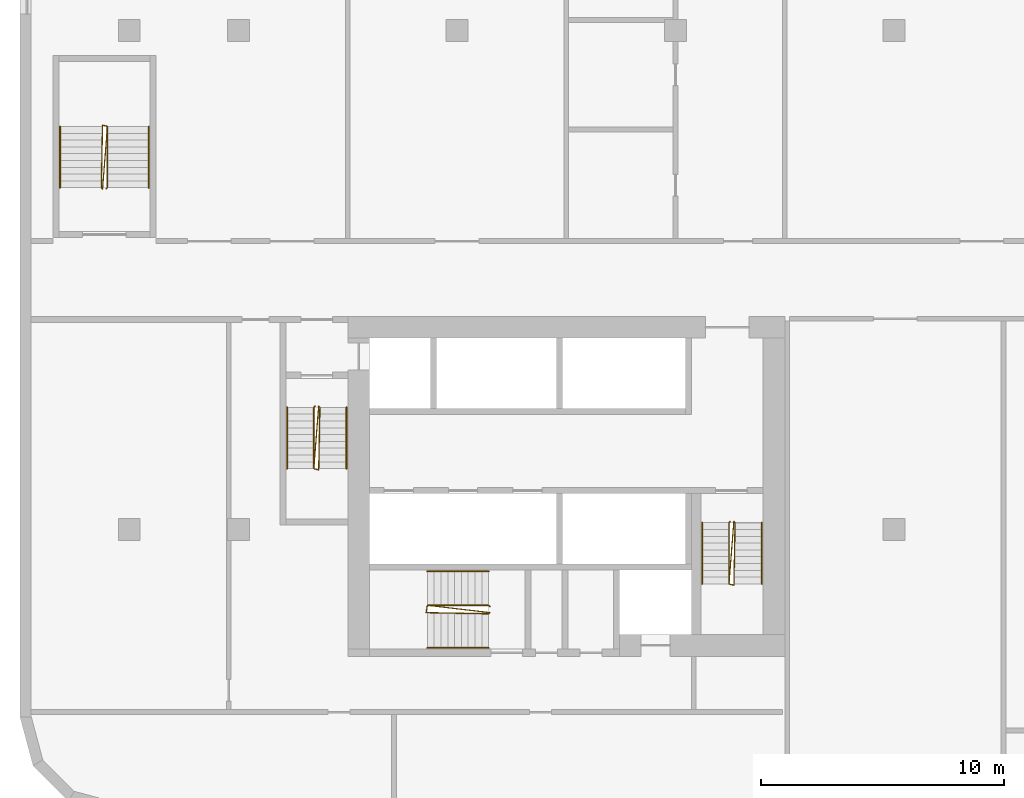
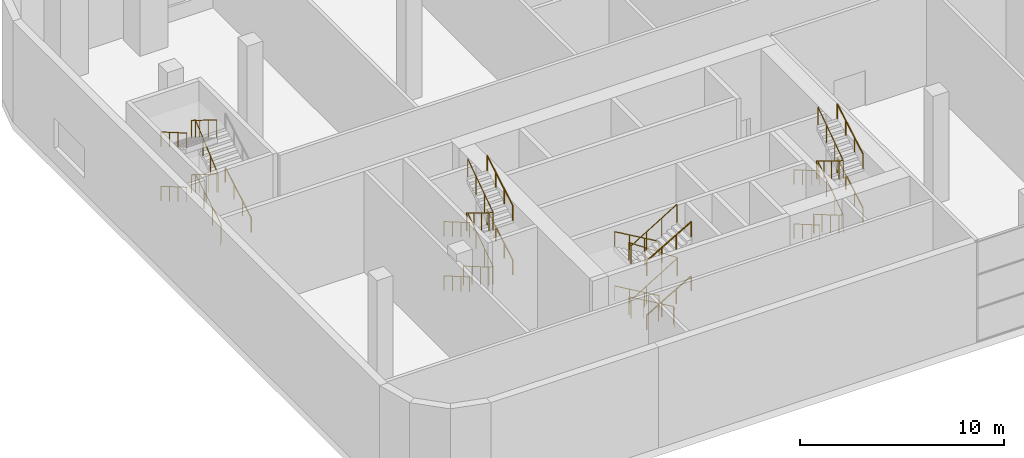
# One storey, part 22 of 24: 19 railings.
"""IFC4 building model written with IfcOpenShell, lengths in metres."""

from ifc_helpers import new_model, si_unit, direction, frame, origin, origin_2d, place, context, subcontext, project, spatial, circle, extrude, material, type_object, element, save


model = new_model("IFC4")

# Units and contexts
model_context = context("Model", 3, precision=1e-05, world=origin(), true_north=direction((0.0, 1.0)))
body_context = subcontext(model_context, "Body", "Model", "MODEL_VIEW")
ifc_project = project(units=[si_unit("LENGTHUNIT", "METRE"), si_unit("AREAUNIT", "SQUARE_METRE"), si_unit("VOLUMEUNIT", "CUBIC_METRE"), si_unit("PLANEANGLEUNIT", "RADIAN"), si_unit("MASSUNIT", "GRAM", prefix="KILO")], contexts=[model_context])

# Site, building, storey
site_placement = place(None, origin())
site = spatial("IfcSite", under=ifc_project, at=site_placement, CompositionType="ELEMENT")
building_placement = place(site_placement, origin())
building = spatial("IfcBuilding", under=site, at=building_placement, Name="Kajstack Hotel Tower", CompositionType="ELEMENT")
storey_placement = place(building_placement, frame((0.0, 0.0, 17.0)))
storey = spatial("IfcBuildingStorey", under=building, at=storey_placement, Name="L02", CompositionType="ELEMENT", Elevation=17.0)

# Railings
ifc_material = material(Name="Steel S355J2", Category="steel")
railing_type_1 = type_object("IfcRailingType", Name="Stair guard 1100", PredefinedType="GUARDRAIL", material=ifc_material)
railing_1_placement = place(storey_placement, frame((-32.85009765625, -5.199951171875, 0.0)))
element("IfcRailing", 1, at=railing_1_placement, inside=storey, type_object=railing_type_1, Name="L02 W1 stair guard 1", PredefinedType="GUARDRAIL", context=body_context, shape_type="SweptSolid", body=[
    extrude(circle(Radius=0.02392578125, at=origin_2d()), frame((0.0, 0.0, 1.076171875), z_axis=(-0.280959487676, -0.282336740067, 0.917250092119), x_axis=(0.708833529934, -0.705375805398, 0.0)), (0.0, 0.0, 1.0), 0.17724609375),
    extrude(circle(Radius=0.02392578125, at=origin_2d()), frame((-0.0498046875, -0.050048828125, 1.23876953125), z_axis=(0.0, -0.864913338283, 0.50192122615), x_axis=(1.0, 0.0, 0.0)), (0.0, 0.0, 1.0), 2.91357421875),
    extrude(circle(Radius=0.02392578125, at=origin_2d()), frame((-0.0498046875, -2.570068359375, 2.701171875), z_axis=(0.970072785993, -0.242814311512, 0.0), x_axis=(0.242814311512, 0.970072785993, 0.0)), (0.0, 0.0, 1.0), 0.2060546875),
    extrude(circle(Radius=0.02392578125, at=origin_2d()), frame((0.150146484375, -2.6201171875, 2.701171875), z_axis=(0.016457393398, 0.845107220968, 0.534343465638), x_axis=(-0.999810440751, 0.019470042781, 0.0)), (0.0, 0.0, 1.0), 3.041015625),
    extrude(circle(Radius=0.02392578125, at=origin_2d()), frame((0.2001953125, -0.050048828125, 4.326171875), z_axis=(-0.707106781187, 0.707106781187, 0.0), x_axis=(-0.707106781187, -0.707106781187, 0.0)), (0.0, 0.0, 1.0), 0.07080078125),
    extrude(circle(Radius=0.02392578125, at=origin_2d()), frame((0.150146484375, 0.0, 4.326171875), z_axis=(-0.065616484966, -0.843400167566, 0.533264131787), x_axis=(0.996987254287, -0.077565551559, 0.0)), (0.0, 0.0, 1.0), 3.04736328125),
    extrude(circle(Radius=0.02392578125, at=origin_2d()), frame((-0.0498046875, -2.570068359375, 5.951171875), z_axis=(0.970072785993, -0.242814311512, 0.0), x_axis=(0.242814311512, 0.970072785993, 0.0)), (0.0, 0.0, 1.0), 0.2060546875),
    extrude(circle(Radius=0.02392578125, at=origin_2d()), frame((0.150146484375, -2.6201171875, 5.951171875), z_axis=(0.016457393398, 0.845107220968, 0.534343465638), x_axis=(-0.999810440751, 0.019470042781, 0.0)), (0.0, 0.0, 1.0), 3.041015625),
    extrude(circle(Radius=0.02099609375, at=origin_2d()), origin(), (0.0, 0.0, 1.0), 1.052001953125),
    extrude(circle(Radius=0.02099609375, at=origin_2d()), frame((-0.0498046875, -0.050048828125, 0.16259765625)), (0.0, 0.0, 1.0), 1.052001953125),
    extrude(circle(Radius=0.02099609375, at=origin_2d()), frame((-0.0498046875, -0.89013671875, 0.650146484375)), (0.0, 0.0, 1.0), 1.052001953125),
    extrude(circle(Radius=0.02099609375, at=origin_2d()), frame((-0.0498046875, -1.72998046875, 1.137451171875)), (0.0, 0.0, 1.0), 1.052001953125),
    extrude(circle(Radius=0.02099609375, at=origin_2d()), frame((-0.0498046875, -2.570068359375, 1.625)), (0.0, 0.0, 1.0), 1.052001953125),
    extrude(circle(Radius=0.02099609375, at=origin_2d()), frame((0.150146484375, -2.6201171875, 1.625)), (0.0, 0.0, 1.0), 1.052001953125),
    extrude(circle(Radius=0.02099609375, at=origin_2d()), frame((0.166748046875, -1.763427734375, 2.166748046875)), (0.0, 0.0, 1.0), 1.052001953125),
    extrude(circle(Radius=0.02099609375, at=origin_2d()), frame((0.18359375, -0.90673828125, 2.708251953125)), (0.0, 0.0, 1.0), 1.052001953125),
    extrude(circle(Radius=0.02099609375, at=origin_2d()), frame((0.2001953125, -0.050048828125, 3.25)), (0.0, 0.0, 1.0), 1.052001953125),
    extrude(circle(Radius=0.02099609375, at=origin_2d()), frame((0.150146484375, 0.0, 3.25)), (0.0, 0.0, 1.0), 1.052001953125),
    extrude(circle(Radius=0.02099609375, at=origin_2d()), frame((0.08349609375, -0.856689453125, 3.791748046875)), (0.0, 0.0, 1.0), 1.052001953125),
    extrude(circle(Radius=0.02099609375, at=origin_2d()), frame((0.016845703125, -1.71337890625, 4.333251953125)), (0.0, 0.0, 1.0), 1.052001953125),
    extrude(circle(Radius=0.02099609375, at=origin_2d()), frame((-0.0498046875, -2.570068359375, 4.875)), (0.0, 0.0, 1.0), 1.052001953125),
    extrude(circle(Radius=0.02099609375, at=origin_2d()), frame((0.150146484375, -2.6201171875, 4.875)), (0.0, 0.0, 1.0), 1.052001953125),
    extrude(circle(Radius=0.02099609375, at=origin_2d()), frame((0.166748046875, -1.763427734375, 5.416748046875)), (0.0, 0.0, 1.0), 1.052001953125),
    extrude(circle(Radius=0.02099609375, at=origin_2d()), frame((0.18359375, -0.90673828125, 5.958251953125)), (0.0, 0.0, 1.0), 1.052001953125),
    extrude(circle(Radius=0.02099609375, at=origin_2d()), frame((0.2001953125, -0.050048828125, 6.5)), (0.0, 0.0, 1.0), 1.052001953125),
])
railing_2_placement = place(storey_placement, frame((-15.75, -9.949951171875, 0.0)))
element("IfcRailing", 2, at=railing_2_placement, inside=storey, type_object=railing_type_1, Name="L02 W2 stair guard 1", PredefinedType="GUARDRAIL", context=body_context, shape_type="SweptSolid", body=[
    extrude(circle(Radius=0.02392578125, at=origin_2d()), frame((0.0, 0.0, 1.076171875), z_axis=(-0.282227285176, -0.282227285176, 0.916894497205), x_axis=(0.707106781187, -0.707106781187, 0.0)), (0.0, 0.0, 1.0), 0.17724609375),
    extrude(circle(Radius=0.02392578125, at=origin_2d()), frame((-0.050048828125, -0.050048828125, 1.23876953125), z_axis=(0.0, -0.864913338283, 0.50192122615), x_axis=(1.0, 0.0, 0.0)), (0.0, 0.0, 1.0), 2.91357421875),
    extrude(circle(Radius=0.02392578125, at=origin_2d()), frame((-0.050048828125, -2.570068359375, 2.701171875), z_axis=(0.970072785993, -0.242814311512, 0.0), x_axis=(0.242814311512, 0.970072785993, 0.0)), (0.0, 0.0, 1.0), 0.2060546875),
    extrude(circle(Radius=0.02392578125, at=origin_2d()), frame((0.14990234375, -2.6201171875, 2.701171875), z_axis=(0.016457393398, 0.845107220968, 0.534343465638), x_axis=(-0.999810440751, 0.019470042781, 0.0)), (0.0, 0.0, 1.0), 3.041015625),
    extrude(circle(Radius=0.02392578125, at=origin_2d()), frame((0.199951171875, -0.050048828125, 4.326171875), z_axis=(-0.707106781187, 0.707106781187, 0.0), x_axis=(-0.707106781187, -0.707106781187, 0.0)), (0.0, 0.0, 1.0), 0.07080078125),
    extrude(circle(Radius=0.02392578125, at=origin_2d()), frame((0.14990234375, 0.0, 4.326171875), z_axis=(-0.065616484966, -0.843400167566, 0.533264131787), x_axis=(0.996987254287, -0.077565551559, 0.0)), (0.0, 0.0, 1.0), 3.04736328125),
    extrude(circle(Radius=0.02392578125, at=origin_2d()), frame((-0.050048828125, -2.570068359375, 5.951171875), z_axis=(0.970072785993, -0.242814311512, 0.0), x_axis=(0.242814311512, 0.970072785993, 0.0)), (0.0, 0.0, 1.0), 0.2060546875),
    extrude(circle(Radius=0.02392578125, at=origin_2d()), frame((0.14990234375, -2.6201171875, 5.951171875), z_axis=(0.016457393398, 0.845107220968, 0.534343465638), x_axis=(-0.999810440751, 0.019470042781, 0.0)), (0.0, 0.0, 1.0), 3.041015625),
    extrude(circle(Radius=0.02099609375, at=origin_2d()), origin(), (0.0, 0.0, 1.0), 1.052001953125),
    extrude(circle(Radius=0.02099609375, at=origin_2d()), frame((-0.050048828125, -0.050048828125, 0.16259765625)), (0.0, 0.0, 1.0), 1.052001953125),
    extrude(circle(Radius=0.02099609375, at=origin_2d()), frame((-0.050048828125, -0.89013671875, 0.650146484375)), (0.0, 0.0, 1.0), 1.052001953125),
    extrude(circle(Radius=0.02099609375, at=origin_2d()), frame((-0.050048828125, -1.72998046875, 1.137451171875)), (0.0, 0.0, 1.0), 1.052001953125),
    extrude(circle(Radius=0.02099609375, at=origin_2d()), frame((-0.050048828125, -2.570068359375, 1.625)), (0.0, 0.0, 1.0), 1.052001953125),
    extrude(circle(Radius=0.02099609375, at=origin_2d()), frame((0.14990234375, -2.6201171875, 1.625)), (0.0, 0.0, 1.0), 1.052001953125),
    extrude(circle(Radius=0.02099609375, at=origin_2d()), frame((0.16650390625, -1.763427734375, 2.166748046875)), (0.0, 0.0, 1.0), 1.052001953125),
    extrude(circle(Radius=0.02099609375, at=origin_2d()), frame((0.183349609375, -0.90673828125, 2.708251953125)), (0.0, 0.0, 1.0), 1.052001953125),
    extrude(circle(Radius=0.02099609375, at=origin_2d()), frame((0.199951171875, -0.050048828125, 3.25)), (0.0, 0.0, 1.0), 1.052001953125),
    extrude(circle(Radius=0.02099609375, at=origin_2d()), frame((0.14990234375, 0.0, 3.25)), (0.0, 0.0, 1.0), 1.052001953125),
    extrude(circle(Radius=0.02099609375, at=origin_2d()), frame((0.083251953125, -0.856689453125, 3.791748046875)), (0.0, 0.0, 1.0), 1.052001953125),
    extrude(circle(Radius=0.02099609375, at=origin_2d()), frame((0.0166015625, -1.71337890625, 4.333251953125)), (0.0, 0.0, 1.0), 1.052001953125),
    extrude(circle(Radius=0.02099609375, at=origin_2d()), frame((-0.050048828125, -2.570068359375, 4.875)), (0.0, 0.0, 1.0), 1.052001953125),
    extrude(circle(Radius=0.02099609375, at=origin_2d()), frame((0.14990234375, -2.6201171875, 4.875)), (0.0, 0.0, 1.0), 1.052001953125),
    extrude(circle(Radius=0.02099609375, at=origin_2d()), frame((0.16650390625, -1.763427734375, 5.416748046875)), (0.0, 0.0, 1.0), 1.052001953125),
    extrude(circle(Radius=0.02099609375, at=origin_2d()), frame((0.183349609375, -0.90673828125, 5.958251953125)), (0.0, 0.0, 1.0), 1.052001953125),
    extrude(circle(Radius=0.02099609375, at=origin_2d()), frame((0.199951171875, -0.050048828125, 6.5)), (0.0, 0.0, 1.0), 1.052001953125),
])
railing_3_placement = place(storey_placement, frame((-25.64990234375, -13.449951171875, 0.0)))
element("IfcRailing", 3, at=railing_3_placement, inside=storey, type_object=railing_type_1, Name="L02 W3 stair guard 1", PredefinedType="GUARDRAIL", context=body_context, shape_type="SweptSolid", body=[
    extrude(circle(Radius=0.02392578125, at=origin_2d()), frame((0.0, 0.0, 1.076171875), z_axis=(-0.282227285176, 0.282227285176, 0.916894497205), x_axis=(-0.707106781187, -0.707106781187, 0.0)), (0.0, 0.0, 1.0), 0.17724609375),
    extrude(circle(Radius=0.02392578125, at=origin_2d()), frame((-0.050048828125, 0.050048828125, 1.23876953125), z_axis=(-0.864913338283, 0.0, 0.50192122615), x_axis=(0.0, -1.0, 0.0)), (0.0, 0.0, 1.0), 2.91357421875),
    extrude(circle(Radius=0.02392578125, at=origin_2d()), frame((-2.570068359375, 0.050048828125, 2.701171875), z_axis=(-0.164529134168, -0.986372223864, 0.0), x_axis=(0.986372223864, -0.164529134168, 0.0)), (0.0, 0.0, 1.0), 0.30419921875),
    extrude(circle(Radius=0.02392578125, at=origin_2d()), frame((-2.6201171875, -0.25, 2.701171875), z_axis=(0.845107220968, -0.016457393398, 0.534343465638), x_axis=(0.019470042781, 0.999810440751, 0.0)), (0.0, 0.0, 1.0), 3.041015625),
    extrude(circle(Radius=0.02392578125, at=origin_2d()), frame((-0.050048828125, -0.300048828125, 4.326171875), z_axis=(0.707106781187, 0.707106781187, 0.0), x_axis=(-0.707106781187, 0.707106781187, 0.0)), (0.0, 0.0, 1.0), 0.07080078125),
    extrude(circle(Radius=0.02392578125, at=origin_2d()), frame((0.0, -0.25, 4.326171875), z_axis=(-0.841136438897, 0.098200501891, 0.53183282391), x_axis=(-0.115959822279, -0.993253904909, 0.0)), (0.0, 0.0, 1.0), 3.055419921875),
    extrude(circle(Radius=0.02392578125, at=origin_2d()), frame((-2.570068359375, 0.050048828125, 5.951171875), z_axis=(-0.164529134168, -0.986372223864, 0.0), x_axis=(0.986372223864, -0.164529134168, 0.0)), (0.0, 0.0, 1.0), 0.30419921875),
    extrude(circle(Radius=0.02392578125, at=origin_2d()), frame((-2.6201171875, -0.25, 5.951171875), z_axis=(0.845107220968, -0.016457393398, 0.534343465638), x_axis=(0.019470042781, 0.999810440751, 0.0)), (0.0, 0.0, 1.0), 3.041015625),
    extrude(circle(Radius=0.02099609375, at=origin_2d()), origin(), (0.0, 0.0, 1.0), 1.052001953125),
    extrude(circle(Radius=0.02099609375, at=origin_2d()), frame((-0.050048828125, 0.050048828125, 0.16259765625)), (0.0, 0.0, 1.0), 1.052001953125),
    extrude(circle(Radius=0.02099609375, at=origin_2d()), frame((-0.89013671875, 0.050048828125, 0.650146484375)), (0.0, 0.0, 1.0), 1.052001953125),
    extrude(circle(Radius=0.02099609375, at=origin_2d()), frame((-1.72998046875, 0.050048828125, 1.137451171875)), (0.0, 0.0, 1.0), 1.052001953125),
    extrude(circle(Radius=0.02099609375, at=origin_2d()), frame((-2.570068359375, 0.050048828125, 1.625)), (0.0, 0.0, 1.0), 1.052001953125),
    extrude(circle(Radius=0.02099609375, at=origin_2d()), frame((-2.6201171875, -0.25, 1.625)), (0.0, 0.0, 1.0), 1.052001953125),
    extrude(circle(Radius=0.02099609375, at=origin_2d()), frame((-1.763427734375, -0.2666015625, 2.166748046875)), (0.0, 0.0, 1.0), 1.052001953125),
    extrude(circle(Radius=0.02099609375, at=origin_2d()), frame((-0.90673828125, -0.283447265625, 2.708251953125)), (0.0, 0.0, 1.0), 1.052001953125),
    extrude(circle(Radius=0.02099609375, at=origin_2d()), frame((-0.050048828125, -0.300048828125, 3.25)), (0.0, 0.0, 1.0), 1.052001953125),
    extrude(circle(Radius=0.02099609375, at=origin_2d()), frame((0.0, -0.25, 3.25)), (0.0, 0.0, 1.0), 1.052001953125),
    extrude(circle(Radius=0.02099609375, at=origin_2d()), frame((-0.856689453125, -0.14990234375, 3.791748046875)), (0.0, 0.0, 1.0), 1.052001953125),
    extrude(circle(Radius=0.02099609375, at=origin_2d()), frame((-1.71337890625, -0.050048828125, 4.333251953125)), (0.0, 0.0, 1.0), 1.052001953125),
    extrude(circle(Radius=0.02099609375, at=origin_2d()), frame((-2.570068359375, 0.050048828125, 4.875)), (0.0, 0.0, 1.0), 1.052001953125),
    extrude(circle(Radius=0.02099609375, at=origin_2d()), frame((-2.6201171875, -0.25, 4.875)), (0.0, 0.0, 1.0), 1.052001953125),
    extrude(circle(Radius=0.02099609375, at=origin_2d()), frame((-1.763427734375, -0.2666015625, 5.416748046875)), (0.0, 0.0, 1.0), 1.052001953125),
    extrude(circle(Radius=0.02099609375, at=origin_2d()), frame((-0.90673828125, -0.283447265625, 5.958251953125)), (0.0, 0.0, 1.0), 1.052001953125),
    extrude(circle(Radius=0.02099609375, at=origin_2d()), frame((-0.050048828125, -0.300048828125, 6.5)), (0.0, 0.0, 1.0), 1.052001953125),
])
railing_4_placement = place(storey_placement, frame((-41.449951171875, 3.75, 0.0)))
element("IfcRailing", 4, at=railing_4_placement, inside=storey, type_object=railing_type_1, Name="L02 P1 stair guard 1", PredefinedType="GUARDRAIL", context=body_context, shape_type="SweptSolid", body=[
    extrude(circle(Radius=0.02392578125, at=origin_2d()), frame((0.0, 0.0, 1.076171875), z_axis=(0.282227285176, 0.282227285176, 0.916894497205), x_axis=(-0.707106781187, 0.707106781187, 0.0)), (0.0, 0.0, 1.0), 0.17724609375),
    extrude(circle(Radius=0.02392578125, at=origin_2d()), frame((0.050048828125, 0.050048828125, 1.23876953125), z_axis=(0.0, 0.864913338283, 0.50192122615), x_axis=(-1.0, 0.0, 0.0)), (0.0, 0.0, 1.0), 2.91357421875),
    extrude(circle(Radius=0.02392578125, at=origin_2d()), frame((0.050048828125, 2.570068359375, 2.701171875), z_axis=(-0.970142500145, 0.242535625036, 0.0), x_axis=(-0.242535625036, -0.970142500145, 0.0)), (0.0, 0.0, 1.0), 0.206298828125),
    extrude(circle(Radius=0.02392578125, at=origin_2d()), frame((-0.150146484375, 2.6201171875, 2.701171875), z_axis=(-0.016377135015, -0.845108334802, 0.534344169891), x_axis=(0.999812285079, -0.019375102703, 0.0)), (0.0, 0.0, 1.0), 3.041015625),
    extrude(circle(Radius=0.02392578125, at=origin_2d()), frame((-0.199951171875, 0.050048828125, 4.326171875), z_axis=(0.705375805398, -0.708833529934, 0.0), x_axis=(0.708833529934, 0.705375805398, 0.0)), (0.0, 0.0, 1.0), 0.070556640625),
    extrude(circle(Radius=0.02392578125, at=origin_2d()), frame((-0.150146484375, 0.0, 4.326171875), z_axis=(0.065696257196, 0.843395731098, 0.533261326702), x_axis=(-0.996979925979, 0.077659688354, 0.0)), (0.0, 0.0, 1.0), 3.04736328125),
    extrude(circle(Radius=0.02392578125, at=origin_2d()), frame((0.050048828125, 2.570068359375, 5.951171875), z_axis=(-0.970142500145, 0.242535625036, 0.0), x_axis=(-0.242535625036, -0.970142500145, 0.0)), (0.0, 0.0, 1.0), 0.206298828125),
    extrude(circle(Radius=0.02392578125, at=origin_2d()), frame((-0.150146484375, 2.6201171875, 5.951171875), z_axis=(-0.016377135015, -0.845108334802, 0.534344169891), x_axis=(0.999812285079, -0.019375102703, 0.0)), (0.0, 0.0, 1.0), 3.041015625),
    extrude(circle(Radius=0.02099609375, at=origin_2d()), origin(), (0.0, 0.0, 1.0), 1.052001953125),
    extrude(circle(Radius=0.02099609375, at=origin_2d()), frame((0.050048828125, 0.050048828125, 0.16259765625)), (0.0, 0.0, 1.0), 1.052001953125),
    extrude(circle(Radius=0.02099609375, at=origin_2d()), frame((0.050048828125, 0.89013671875, 0.650146484375)), (0.0, 0.0, 1.0), 1.052001953125),
    extrude(circle(Radius=0.02099609375, at=origin_2d()), frame((0.050048828125, 1.72998046875, 1.137451171875)), (0.0, 0.0, 1.0), 1.052001953125),
    extrude(circle(Radius=0.02099609375, at=origin_2d()), frame((0.050048828125, 2.570068359375, 1.625)), (0.0, 0.0, 1.0), 1.052001953125),
    extrude(circle(Radius=0.02099609375, at=origin_2d()), frame((-0.150146484375, 2.6201171875, 1.625)), (0.0, 0.0, 1.0), 1.052001953125),
    extrude(circle(Radius=0.02099609375, at=origin_2d()), frame((-0.166748046875, 1.763427734375, 2.166748046875)), (0.0, 0.0, 1.0), 1.052001953125),
    extrude(circle(Radius=0.02099609375, at=origin_2d()), frame((-0.183349609375, 0.90673828125, 2.708251953125)), (0.0, 0.0, 1.0), 1.052001953125),
    extrude(circle(Radius=0.02099609375, at=origin_2d()), frame((-0.199951171875, 0.050048828125, 3.25)), (0.0, 0.0, 1.0), 1.052001953125),
    extrude(circle(Radius=0.02099609375, at=origin_2d()), frame((-0.150146484375, 0.0, 3.25)), (0.0, 0.0, 1.0), 1.052001953125),
    extrude(circle(Radius=0.02099609375, at=origin_2d()), frame((-0.08349609375, 0.856689453125, 3.791748046875)), (0.0, 0.0, 1.0), 1.052001953125),
    extrude(circle(Radius=0.02099609375, at=origin_2d()), frame((-0.0166015625, 1.71337890625, 4.333251953125)), (0.0, 0.0, 1.0), 1.052001953125),
    extrude(circle(Radius=0.02099609375, at=origin_2d()), frame((0.050048828125, 2.570068359375, 4.875)), (0.0, 0.0, 1.0), 1.052001953125),
    extrude(circle(Radius=0.02099609375, at=origin_2d()), frame((-0.150146484375, 2.6201171875, 4.875)), (0.0, 0.0, 1.0), 1.052001953125),
    extrude(circle(Radius=0.02099609375, at=origin_2d()), frame((-0.166748046875, 1.763427734375, 5.416748046875)), (0.0, 0.0, 1.0), 1.052001953125),
    extrude(circle(Radius=0.02099609375, at=origin_2d()), frame((-0.183349609375, 0.90673828125, 5.958251953125)), (0.0, 0.0, 1.0), 1.052001953125),
    extrude(circle(Radius=0.02099609375, at=origin_2d()), frame((-0.199951171875, 0.050048828125, 6.5)), (0.0, 0.0, 1.0), 1.052001953125),
])
railing_type_2 = type_object("IfcRailingType", Name="Stair handrail 900", PredefinedType="HANDRAIL", material=ifc_material)
railing_5_placement = place(storey_placement, frame((-34.0, -5.25, 0.16259765625)))
element("IfcRailing", 5, at=railing_5_placement, inside=storey, type_object=railing_type_2, Name="L02 W1 stair handrail 1", PredefinedType="HANDRAIL", context=body_context, shape_type="SweptSolid", body=[
    extrude(circle(Radius=0.02392578125, at=origin_2d()), frame((0.0, 0.0, 0.8759765625), z_axis=(0.0, -0.864913338283, 0.50192122615), x_axis=(1.0, 0.0, 0.0)), (0.0, 0.0, 1.0), 2.91357421875),
    extrude(circle(Radius=0.02099609375, at=origin_2d()), origin(), (0.0, 0.0, 1.0), 0.851806640625),
    extrude(circle(Radius=0.02099609375, at=origin_2d()), frame((0.0, -0.840087890625, 0.487548828125)), (0.0, 0.0, 1.0), 0.851806640625),
    extrude(circle(Radius=0.02099609375, at=origin_2d()), frame((0.0, -1.679931640625, 0.974853515625)), (0.0, 0.0, 1.0), 0.851806640625),
    extrude(circle(Radius=0.02099609375, at=origin_2d()), frame((0.0, -2.52001953125, 1.46240234375)), (0.0, 0.0, 1.0), 0.851806640625),
])
railing_6_placement = place(storey_placement, frame((-31.550048828125, -7.77001953125, 1.78759765625)))
element("IfcRailing", 6, at=railing_6_placement, inside=storey, type_object=railing_type_2, Name="L02 W1 stair handrail 2", PredefinedType="HANDRAIL", context=body_context, shape_type="SweptSolid", body=[
    extrude(circle(Radius=0.02392578125, at=origin_2d()), frame((0.0, 0.0, 0.8759765625), z_axis=(0.0, 0.864913338283, 0.50192122615), x_axis=(-1.0, 0.0, 0.0)), (0.0, 0.0, 1.0), 2.91357421875),
    extrude(circle(Radius=0.02099609375, at=origin_2d()), origin(), (0.0, 0.0, 1.0), 0.851806640625),
    extrude(circle(Radius=0.02099609375, at=origin_2d()), frame((0.0, 0.840087890625, 0.487548828125)), (0.0, 0.0, 1.0), 0.851806640625),
    extrude(circle(Radius=0.02099609375, at=origin_2d()), frame((0.0, 1.679931640625, 0.974853515625)), (0.0, 0.0, 1.0), 0.851806640625),
    extrude(circle(Radius=0.02099609375, at=origin_2d()), frame((0.0, 2.52001953125, 1.46240234375)), (0.0, 0.0, 1.0), 0.851806640625),
])
railing_7_placement = place(storey_placement, frame((-34.0, -5.25, 3.41259765625)))
element("IfcRailing", 7, at=railing_7_placement, inside=storey, type_object=railing_type_2, Name="L02 W1 stair handrail 3", PredefinedType="HANDRAIL", context=body_context, shape_type="SweptSolid", body=[
    extrude(circle(Radius=0.02392578125, at=origin_2d()), frame((0.0, 0.0, 0.8759765625), z_axis=(0.0, -0.864913338283, 0.50192122615), x_axis=(1.0, 0.0, 0.0)), (0.0, 0.0, 1.0), 2.91357421875),
    extrude(circle(Radius=0.02099609375, at=origin_2d()), origin(), (0.0, 0.0, 1.0), 0.851806640625),
    extrude(circle(Radius=0.02099609375, at=origin_2d()), frame((0.0, -0.840087890625, 0.487548828125)), (0.0, 0.0, 1.0), 0.851806640625),
    extrude(circle(Radius=0.02099609375, at=origin_2d()), frame((0.0, -1.679931640625, 0.974853515625)), (0.0, 0.0, 1.0), 0.851806640625),
    extrude(circle(Radius=0.02099609375, at=origin_2d()), frame((0.0, -2.52001953125, 1.46240234375)), (0.0, 0.0, 1.0), 0.851806640625),
])
railing_8_placement = place(storey_placement, frame((-31.550048828125, -7.77001953125, 5.03759765625)))
element("IfcRailing", 8, at=railing_8_placement, inside=storey, type_object=railing_type_2, Name="L02 W1 stair handrail 4", PredefinedType="HANDRAIL", context=body_context, shape_type="SweptSolid", body=[
    extrude(circle(Radius=0.02392578125, at=origin_2d()), frame((0.0, 0.0, 0.8759765625), z_axis=(0.0, 0.864913338283, 0.50192122615), x_axis=(-1.0, 0.0, 0.0)), (0.0, 0.0, 1.0), 2.91357421875),
    extrude(circle(Radius=0.02099609375, at=origin_2d()), origin(), (0.0, 0.0, 1.0), 0.851806640625),
    extrude(circle(Radius=0.02099609375, at=origin_2d()), frame((0.0, 0.840087890625, 0.487548828125)), (0.0, 0.0, 1.0), 0.851806640625),
    extrude(circle(Radius=0.02099609375, at=origin_2d()), frame((0.0, 1.679931640625, 0.974853515625)), (0.0, 0.0, 1.0), 0.851806640625),
    extrude(circle(Radius=0.02099609375, at=origin_2d()), frame((0.0, 2.52001953125, 1.46240234375)), (0.0, 0.0, 1.0), 0.851806640625),
])
railing_9_placement = place(storey_placement, frame((-16.89990234375, -10.0, 0.16259765625)))
element("IfcRailing", 9, at=railing_9_placement, inside=storey, type_object=railing_type_2, Name="L02 W2 stair handrail 1", PredefinedType="HANDRAIL", context=body_context, shape_type="SweptSolid", body=[
    extrude(circle(Radius=0.02392578125, at=origin_2d()), frame((0.0, 0.0, 0.8759765625), z_axis=(0.0, -0.864913338283, 0.50192122615), x_axis=(1.0, 0.0, 0.0)), (0.0, 0.0, 1.0), 2.91357421875),
    extrude(circle(Radius=0.02099609375, at=origin_2d()), origin(), (0.0, 0.0, 1.0), 0.851806640625),
    extrude(circle(Radius=0.02099609375, at=origin_2d()), frame((0.0, -0.840087890625, 0.487548828125)), (0.0, 0.0, 1.0), 0.851806640625),
    extrude(circle(Radius=0.02099609375, at=origin_2d()), frame((0.0, -1.679931640625, 0.974853515625)), (0.0, 0.0, 1.0), 0.851806640625),
    extrude(circle(Radius=0.02099609375, at=origin_2d()), frame((0.0, -2.52001953125, 1.46240234375)), (0.0, 0.0, 1.0), 0.851806640625),
])
railing_10_placement = place(storey_placement, frame((-14.449951171875, -12.52001953125, 1.78759765625)))
element("IfcRailing", 10, at=railing_10_placement, inside=storey, type_object=railing_type_2, Name="L02 W2 stair handrail 2", PredefinedType="HANDRAIL", context=body_context, shape_type="SweptSolid", body=[
    extrude(circle(Radius=0.02392578125, at=origin_2d()), frame((0.0, 0.0, 0.8759765625), z_axis=(0.0, 0.864913338283, 0.50192122615), x_axis=(-1.0, 0.0, 0.0)), (0.0, 0.0, 1.0), 2.91357421875),
    extrude(circle(Radius=0.02099609375, at=origin_2d()), origin(), (0.0, 0.0, 1.0), 0.851806640625),
    extrude(circle(Radius=0.02099609375, at=origin_2d()), frame((0.0, 0.840087890625, 0.487548828125)), (0.0, 0.0, 1.0), 0.851806640625),
    extrude(circle(Radius=0.02099609375, at=origin_2d()), frame((0.0, 1.679931640625, 0.974853515625)), (0.0, 0.0, 1.0), 0.851806640625),
    extrude(circle(Radius=0.02099609375, at=origin_2d()), frame((0.0, 2.52001953125, 1.46240234375)), (0.0, 0.0, 1.0), 0.851806640625),
])
railing_11_placement = place(storey_placement, frame((-16.89990234375, -10.0, 3.41259765625)))
element("IfcRailing", 11, at=railing_11_placement, inside=storey, type_object=railing_type_2, Name="L02 W2 stair handrail 3", PredefinedType="HANDRAIL", context=body_context, shape_type="SweptSolid", body=[
    extrude(circle(Radius=0.02392578125, at=origin_2d()), frame((0.0, 0.0, 0.8759765625), z_axis=(0.0, -0.864913338283, 0.50192122615), x_axis=(1.0, 0.0, 0.0)), (0.0, 0.0, 1.0), 2.91357421875),
    extrude(circle(Radius=0.02099609375, at=origin_2d()), origin(), (0.0, 0.0, 1.0), 0.851806640625),
    extrude(circle(Radius=0.02099609375, at=origin_2d()), frame((0.0, -0.840087890625, 0.487548828125)), (0.0, 0.0, 1.0), 0.851806640625),
    extrude(circle(Radius=0.02099609375, at=origin_2d()), frame((0.0, -1.679931640625, 0.974853515625)), (0.0, 0.0, 1.0), 0.851806640625),
    extrude(circle(Radius=0.02099609375, at=origin_2d()), frame((0.0, -2.52001953125, 1.46240234375)), (0.0, 0.0, 1.0), 0.851806640625),
])
railing_12_placement = place(storey_placement, frame((-14.449951171875, -12.52001953125, 5.03759765625)))
element("IfcRailing", 12, at=railing_12_placement, inside=storey, type_object=railing_type_2, Name="L02 W2 stair handrail 4", PredefinedType="HANDRAIL", context=body_context, shape_type="SweptSolid", body=[
    extrude(circle(Radius=0.02392578125, at=origin_2d()), frame((0.0, 0.0, 0.8759765625), z_axis=(0.0, 0.864913338283, 0.50192122615), x_axis=(-1.0, 0.0, 0.0)), (0.0, 0.0, 1.0), 2.91357421875),
    extrude(circle(Radius=0.02099609375, at=origin_2d()), origin(), (0.0, 0.0, 1.0), 0.851806640625),
    extrude(circle(Radius=0.02099609375, at=origin_2d()), frame((0.0, 0.840087890625, 0.487548828125)), (0.0, 0.0, 1.0), 0.851806640625),
    extrude(circle(Radius=0.02099609375, at=origin_2d()), frame((0.0, 1.679931640625, 0.974853515625)), (0.0, 0.0, 1.0), 0.851806640625),
    extrude(circle(Radius=0.02099609375, at=origin_2d()), frame((0.0, 2.52001953125, 1.46240234375)), (0.0, 0.0, 1.0), 0.851806640625),
])
railing_13_placement = place(storey_placement, frame((-25.699951171875, -12.0, 0.16259765625)))
element("IfcRailing", 13, at=railing_13_placement, inside=storey, type_object=railing_type_2, Name="L02 W3 stair handrail 1", PredefinedType="HANDRAIL", context=body_context, shape_type="SweptSolid", body=[
    extrude(circle(Radius=0.02392578125, at=origin_2d()), frame((0.0, 0.0, 0.8759765625), z_axis=(-0.864913338283, 0.0, 0.50192122615), x_axis=(0.0, -1.0, 0.0)), (0.0, 0.0, 1.0), 2.91357421875),
    extrude(circle(Radius=0.02099609375, at=origin_2d()), origin(), (0.0, 0.0, 1.0), 0.851806640625),
    extrude(circle(Radius=0.02099609375, at=origin_2d()), frame((-0.840087890625, 0.0, 0.487548828125)), (0.0, 0.0, 1.0), 0.851806640625),
    extrude(circle(Radius=0.02099609375, at=origin_2d()), frame((-1.679931640625, 0.0, 0.974853515625)), (0.0, 0.0, 1.0), 0.851806640625),
    extrude(circle(Radius=0.02099609375, at=origin_2d()), frame((-2.52001953125, 0.0, 1.46240234375)), (0.0, 0.0, 1.0), 0.851806640625),
])
railing_14_placement = place(storey_placement, frame((-28.219970703125, -15.14990234375, 1.78759765625)))
element("IfcRailing", 14, at=railing_14_placement, inside=storey, type_object=railing_type_2, Name="L02 W3 stair handrail 2", PredefinedType="HANDRAIL", context=body_context, shape_type="SweptSolid", body=[
    extrude(circle(Radius=0.02392578125, at=origin_2d()), frame((0.0, 0.0, 0.8759765625), z_axis=(0.864913338283, 0.0, 0.50192122615), x_axis=(0.0, 1.0, 0.0)), (0.0, 0.0, 1.0), 2.91357421875),
    extrude(circle(Radius=0.02099609375, at=origin_2d()), origin(), (0.0, 0.0, 1.0), 0.851806640625),
    extrude(circle(Radius=0.02099609375, at=origin_2d()), frame((0.840087890625, 0.0, 0.487548828125)), (0.0, 0.0, 1.0), 0.851806640625),
    extrude(circle(Radius=0.02099609375, at=origin_2d()), frame((1.679931640625, 0.0, 0.974853515625)), (0.0, 0.0, 1.0), 0.851806640625),
    extrude(circle(Radius=0.02099609375, at=origin_2d()), frame((2.52001953125, 0.0, 1.46240234375)), (0.0, 0.0, 1.0), 0.851806640625),
])
railing_15_placement = place(storey_placement, frame((-25.699951171875, -12.0, 3.41259765625)))
element("IfcRailing", 15, at=railing_15_placement, inside=storey, type_object=railing_type_2, Name="L02 W3 stair handrail 3", PredefinedType="HANDRAIL", context=body_context, shape_type="SweptSolid", body=[
    extrude(circle(Radius=0.02392578125, at=origin_2d()), frame((0.0, 0.0, 0.8759765625), z_axis=(-0.864913338283, 0.0, 0.50192122615), x_axis=(0.0, -1.0, 0.0)), (0.0, 0.0, 1.0), 2.91357421875),
    extrude(circle(Radius=0.02099609375, at=origin_2d()), origin(), (0.0, 0.0, 1.0), 0.851806640625),
    extrude(circle(Radius=0.02099609375, at=origin_2d()), frame((-0.840087890625, 0.0, 0.487548828125)), (0.0, 0.0, 1.0), 0.851806640625),
    extrude(circle(Radius=0.02099609375, at=origin_2d()), frame((-1.679931640625, 0.0, 0.974853515625)), (0.0, 0.0, 1.0), 0.851806640625),
    extrude(circle(Radius=0.02099609375, at=origin_2d()), frame((-2.52001953125, 0.0, 1.46240234375)), (0.0, 0.0, 1.0), 0.851806640625),
])
railing_16_placement = place(storey_placement, frame((-28.219970703125, -15.14990234375, 5.03759765625)))
element("IfcRailing", 16, at=railing_16_placement, inside=storey, type_object=railing_type_2, Name="L02 W3 stair handrail 4", PredefinedType="HANDRAIL", context=body_context, shape_type="SweptSolid", body=[
    extrude(circle(Radius=0.02392578125, at=origin_2d()), frame((0.0, 0.0, 0.8759765625), z_axis=(0.864913338283, 0.0, 0.50192122615), x_axis=(0.0, 1.0, 0.0)), (0.0, 0.0, 1.0), 2.91357421875),
    extrude(circle(Radius=0.02099609375, at=origin_2d()), origin(), (0.0, 0.0, 1.0), 0.851806640625),
    extrude(circle(Radius=0.02099609375, at=origin_2d()), frame((0.840087890625, 0.0, 0.487548828125)), (0.0, 0.0, 1.0), 0.851806640625),
    extrude(circle(Radius=0.02099609375, at=origin_2d()), frame((1.679931640625, 0.0, 0.974853515625)), (0.0, 0.0, 1.0), 0.851806640625),
    extrude(circle(Radius=0.02099609375, at=origin_2d()), frame((2.52001953125, 0.0, 1.46240234375)), (0.0, 0.0, 1.0), 0.851806640625),
])
railing_17_placement = place(storey_placement, frame((-39.699951171875, 3.800048828125, 0.16259765625)))
element("IfcRailing", 17, at=railing_17_placement, inside=storey, type_object=railing_type_2, Name="L02 P1 stair handrail 1", PredefinedType="HANDRAIL", context=body_context, shape_type="SweptSolid", body=[
    extrude(circle(Radius=0.02392578125, at=origin_2d()), frame((0.0, 0.0, 0.8759765625), z_axis=(0.0, 0.864913338283, 0.50192122615), x_axis=(-1.0, 0.0, 0.0)), (0.0, 0.0, 1.0), 2.91357421875),
    extrude(circle(Radius=0.02099609375, at=origin_2d()), origin(), (0.0, 0.0, 1.0), 0.851806640625),
    extrude(circle(Radius=0.02099609375, at=origin_2d()), frame((0.0, 0.840087890625, 0.487548828125)), (0.0, 0.0, 1.0), 0.851806640625),
    extrude(circle(Radius=0.02099609375, at=origin_2d()), frame((0.0, 1.679931640625, 0.974853515625)), (0.0, 0.0, 1.0), 0.851806640625),
    extrude(circle(Radius=0.02099609375, at=origin_2d()), frame((0.0, 2.52001953125, 1.46240234375)), (0.0, 0.0, 1.0), 0.851806640625),
])
for number, where, name in (
    (18, (-43.35009765625, 6.320068359375, 1.78759765625), "L02 P1 stair handrail 2"),
    (19, (-43.35009765625, 6.320068359375, 5.03759765625), "L02 P1 stair handrail 4"),
):
    element("IfcRailing", number, at=place(storey_placement, frame(where)), inside=storey, type_object=railing_type_2, Name=name, PredefinedType="HANDRAIL", context=body_context, shape_type="SweptSolid", body=[
        extrude(circle(Radius=0.02392578125, at=origin_2d()), frame((0.0, 0.0, 0.8759765625), z_axis=(0.0, -0.864913338283, 0.50192122615), x_axis=(1.0, 0.0, 0.0)), (0.0, 0.0, 1.0), 2.91357421875),
        extrude(circle(Radius=0.02099609375, at=origin_2d()), origin(), (0.0, 0.0, 1.0), 0.851806640625),
        extrude(circle(Radius=0.02099609375, at=origin_2d()), frame((0.0, -0.840087890625, 0.487548828125)), (0.0, 0.0, 1.0), 0.851806640625),
        extrude(circle(Radius=0.02099609375, at=origin_2d()), frame((0.0, -1.679931640625, 0.974853515625)), (0.0, 0.0, 1.0), 0.851806640625),
        extrude(circle(Radius=0.02099609375, at=origin_2d()), frame((0.0, -2.52001953125, 1.46240234375)), (0.0, 0.0, 1.0), 0.851806640625),
    ])

save(model, "model.ifc")
